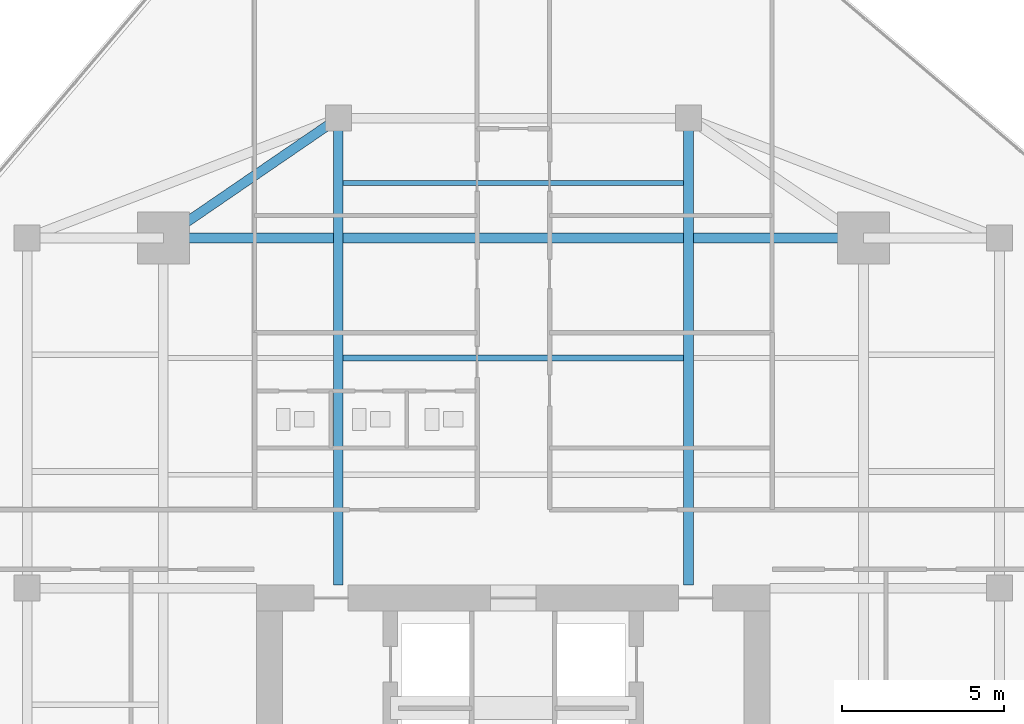
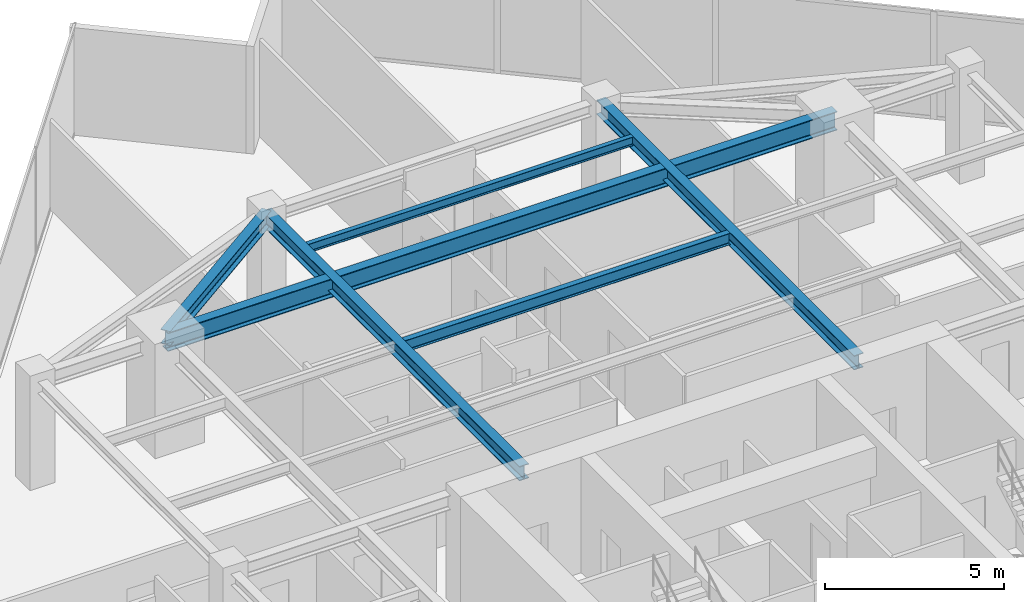
# One storey, part 16 of 26: 6 beams.
"""IFC4 building model written with IfcOpenShell, lengths in metres."""

from ifc_helpers import new_model, si_unit, direction, frame, origin, origin_2d, place, context, subcontext, project, spatial, i_section, extrude, source, transform, mapped, material, material_profile, profile_set, type_object, type_shapes, element, save


model = new_model("IFC4")

# Units and contexts
model_context = context("Model", 3, precision=1e-05, world=origin(), true_north=direction((0.0, 1.0)))
body_context = subcontext(model_context, "Body", "Model", "MODEL_VIEW")
ifc_project = project(units=[si_unit("LENGTHUNIT", "METRE"), si_unit("AREAUNIT", "SQUARE_METRE"), si_unit("VOLUMEUNIT", "CUBIC_METRE"), si_unit("PLANEANGLEUNIT", "RADIAN"), si_unit("MASSUNIT", "GRAM", prefix="KILO")], contexts=[model_context])

# Site, building, storey
site_placement = place(None, origin())
site = spatial("IfcSite", under=ifc_project, at=site_placement, CompositionType="ELEMENT")
building_placement = place(site_placement, origin())
building = spatial("IfcBuilding", under=site, at=building_placement, Name="Krantzveldt Concourse Tower", CompositionType="ELEMENT")
storey_placement = place(building_placement, frame((0.0, 0.0, 207.300048828125)))
storey = spatial("IfcBuildingStorey", under=building, at=storey_placement, Name="L50", CompositionType="ELEMENT", Elevation=207.300048828125)

# Beams
ifc_material = material(Name="Steel S355JR", Category="steel")
ifc_material_profile_1 = material_profile(ifc_material, i_section(OverallWidth=0.300048828125, OverallDepth=0.639892578125, WebThickness=0.013427734375, FlangeThickness=0.02587890625, FilletRadius=0.027099609375, at=origin_2d()), Name="Steel S355JR", Category="steel")
ifc_profile_set_1 = profile_set([ifc_material_profile_1], Name="Steel S355JR - HEA 650")
beam_type_1 = type_object("IfcBeamType", Name="BM-B-HEA650", PredefinedType="BEAM", material=ifc_profile_set_1)
shared_shape_1 = source(origin(), body_context, "Body", "SweptSolid", [
    extrude(i_section(OverallWidth=0.300048828125, OverallDepth=0.639892578125, WebThickness=0.013427734375, FlangeThickness=0.02587890625, FilletRadius=0.027099609375, at=origin_2d()), origin(), (0.0, 0.0, 1.0), 21.60009765625),
])
type_shapes(beam_type_1, [shared_shape_1])
beam_1_placement = place(storey_placement, frame((25.199951171875, 37.5, 3.349853515625), z_axis=(1.0, 0.0, 0.0), x_axis=(0.0, 1.0, 0.0)))
element("IfcBeam", 1, at=beam_1_placement, inside=storey, type_object=beam_type_1, Name="L50 Tower Girder BG-MN", PredefinedType="BEAM", context=body_context, shape_type="MappedRepresentation", body=[
    mapped(shared_shape_1, transform((0.0, 0.0, 0.0), x_axis=(1.0, 0.0, 0.0), y_axis=(0.0, 1.0, 0.0), z_axis=(0.0, 0.0, 1.0), scale=1.0)),
])
ifc_material_profile_2 = material_profile(ifc_material, i_section(OverallWidth=0.179931640625, OverallDepth=0.39990234375, WebThickness=0.008544921875, FlangeThickness=0.013427734375, FilletRadius=0.02099609375, at=origin_2d()), Name="Steel S355JR", Category="steel")
ifc_profile_set_2 = profile_set([ifc_material_profile_2], Name="Steel S355JR - IPE 400")
beam_type_2 = type_object("IfcBeamType", Name="BM-J-IPE400", PredefinedType="JOIST", material=ifc_profile_set_2)
shared_shape_2 = source(origin(), body_context, "Body", "SweptSolid", [
    extrude(i_section(OverallWidth=0.179931640625, OverallDepth=0.39990234375, WebThickness=0.008544921875, FlangeThickness=0.013427734375, FilletRadius=0.02099609375, at=origin_2d()), origin(), (0.0, 0.0, 1.0), 10.5),
])
type_shapes(beam_type_2, [shared_shape_2])
beam_2_placement = place(storey_placement, frame((30.75, 33.800048828125, 3.469970703125), z_axis=(1.0, 0.0, 0.0), x_axis=(0.0, 1.0, 0.0)))
element("IfcBeam", 2, at=beam_2_placement, inside=storey, type_object=beam_type_2, Name="L50 Secondary Floor Joist JN-C2", PredefinedType="JOIST", context=body_context, shape_type="MappedRepresentation", body=[
    mapped(shared_shape_2, transform((0.0, 0.0, 0.0), x_axis=(1.0, 0.0, 0.0), y_axis=(0.0, 1.0, 0.0), z_axis=(0.0, 0.0, 1.0), scale=1.0)),
])
ifc_material_profile_3 = material_profile(ifc_material, i_section(OverallWidth=0.300048828125, OverallDepth=0.489990234375, WebThickness=0.011962890625, FlangeThickness=0.02294921875, FilletRadius=0.027099609375, at=origin_2d()), Name="Steel S355JR", Category="steel")
ifc_profile_set_3 = profile_set([ifc_material_profile_3], Name="Steel S355JR - HEA 500")
beam_type_3 = type_object("IfcBeamType", Name="BM-B-HEA500", PredefinedType="BEAM", material=ifc_profile_set_3)
shared_shape_3 = source(origin(), body_context, "Body", "SweptSolid", [
    extrude(i_section(OverallWidth=0.300048828125, OverallDepth=0.489990234375, WebThickness=0.011962890625, FlangeThickness=0.02294921875, FilletRadius=0.027099609375, at=origin_2d()), origin(), (0.0, 0.0, 1.0), 14.39990234375),
])
for number, where, z_axis, x_axis, name in (
    (3, (30.60009765625, 26.800048828125, 3.425048828125), (0.0, 1.0, 0.0), (-1.0, 0.0, 0.0), "L50 Tower Girder BG-CNW"),
    (4, (41.39990234375, 26.800048828125, 3.425048828125), (0.0, 1.0, 0.0), (-1.0, 0.0, 0.0), "L50 Tower Girder BG-CNE"),
):
    element("IfcBeam", number, at=place(storey_placement, frame(where, z_axis=z_axis, x_axis=x_axis)), inside=storey, type_object=beam_type_3, Name=name, PredefinedType="BEAM", context=body_context, shape_type="MappedRepresentation", body=[
        mapped(shared_shape_3, transform((0.0, 0.0, 0.0), x_axis=(1.0, 0.0, 0.0), y_axis=(0.0, 1.0, 0.0), z_axis=(0.0, 0.0, 1.0), scale=1.0)),
    ])
shared_shape_4 = source(origin(), body_context, "Body", "SweptSolid", [
    extrude(i_section(OverallWidth=0.300048828125, OverallDepth=0.489990234375, WebThickness=0.011962890625, FlangeThickness=0.02294921875, FilletRadius=0.027099609375, at=origin_2d()), origin(), (0.0, 0.0, 1.0), 6.546142578125),
])
type_shapes(beam_type_3, [shared_shape_3, shared_shape_4])
beam_3_placement = place(storey_placement, frame((25.199951171875, 37.5, 3.425048828125), z_axis=(0.824942999484, 0.565215930068, 0.0), x_axis=(-0.565215930068, 0.824942999484, 0.0)))
element("IfcBeam", 5, at=beam_3_placement, inside=storey, type_object=beam_type_3, Name="L50 Tower Girder BR-RL4", PredefinedType="BEAM", context=body_context, shape_type="MappedRepresentation", body=[
    mapped(shared_shape_4, transform((0.0, 0.0, 0.0), x_axis=(1.0, 0.0, 0.0), y_axis=(0.0, 1.0, 0.0), z_axis=(0.0, 0.0, 1.0), scale=1.0)),
])
ifc_material_profile_4 = material_profile(ifc_material, i_section(OverallWidth=0.14990234375, OverallDepth=0.300048828125, WebThickness=0.007080078125, FlangeThickness=0.0107421875, FilletRadius=0.014892578125, at=origin_2d()), Name="Steel S355JR", Category="steel")
ifc_profile_set_4 = profile_set([ifc_material_profile_4], Name="Steel S355JR - IPE 300")
beam_type_4 = type_object("IfcBeamType", Name="BM-J-IPE300", PredefinedType="JOIST", material=ifc_profile_set_4)
shared_shape_5 = source(origin(), body_context, "Body", "SweptSolid", [
    extrude(i_section(OverallWidth=0.14990234375, OverallDepth=0.300048828125, WebThickness=0.007080078125, FlangeThickness=0.0107421875, FilletRadius=0.014892578125, at=origin_2d()), origin(), (0.0, 0.0, 1.0), 10.5),
])
type_shapes(beam_type_4, [shared_shape_5])
beam_4_placement = place(storey_placement, frame((30.75, 39.199951171875, 3.52001953125), z_axis=(1.0, 0.0, 0.0), x_axis=(0.0, 1.0, 0.0)))
element("IfcBeam", 6, at=beam_4_placement, inside=storey, type_object=beam_type_4, Name="L50 Secondary Floor Joist JN-C3", PredefinedType="JOIST", context=body_context, shape_type="MappedRepresentation", body=[
    mapped(shared_shape_5, transform((0.0, 0.0, 0.0), x_axis=(1.0, 0.0, 0.0), y_axis=(0.0, 1.0, 0.0), z_axis=(0.0, 0.0, 1.0), scale=1.0)),
])

save(model, "model.ifc")
